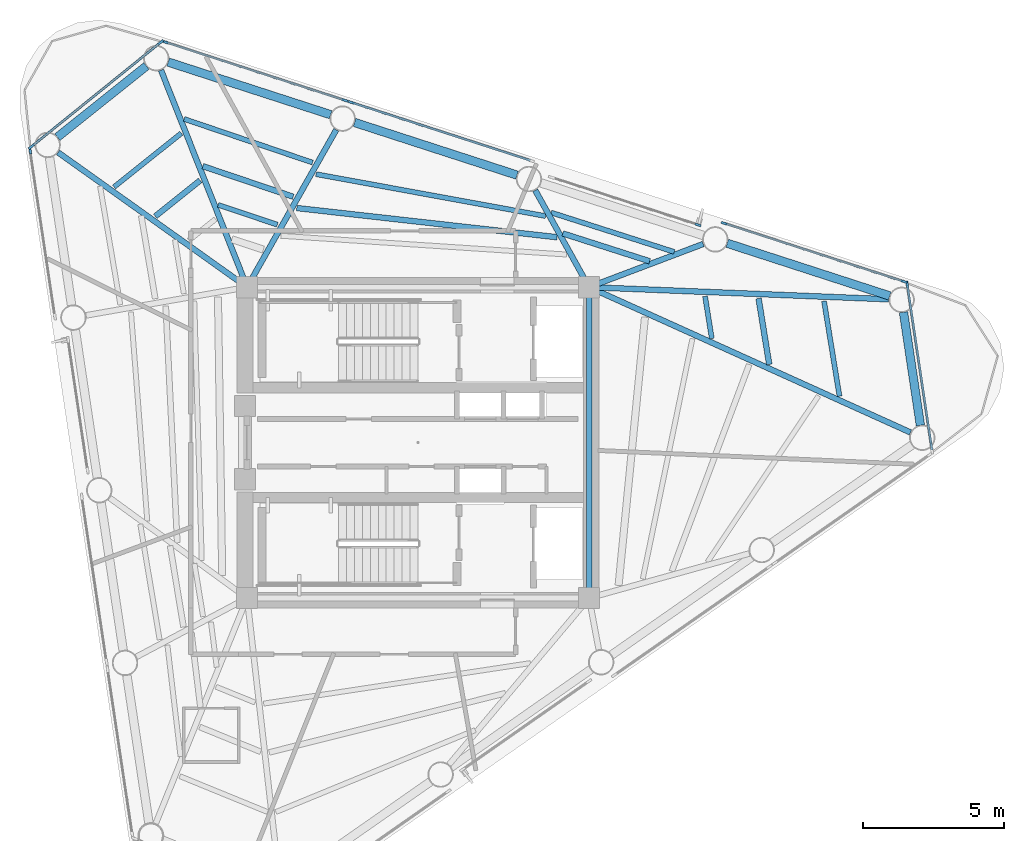
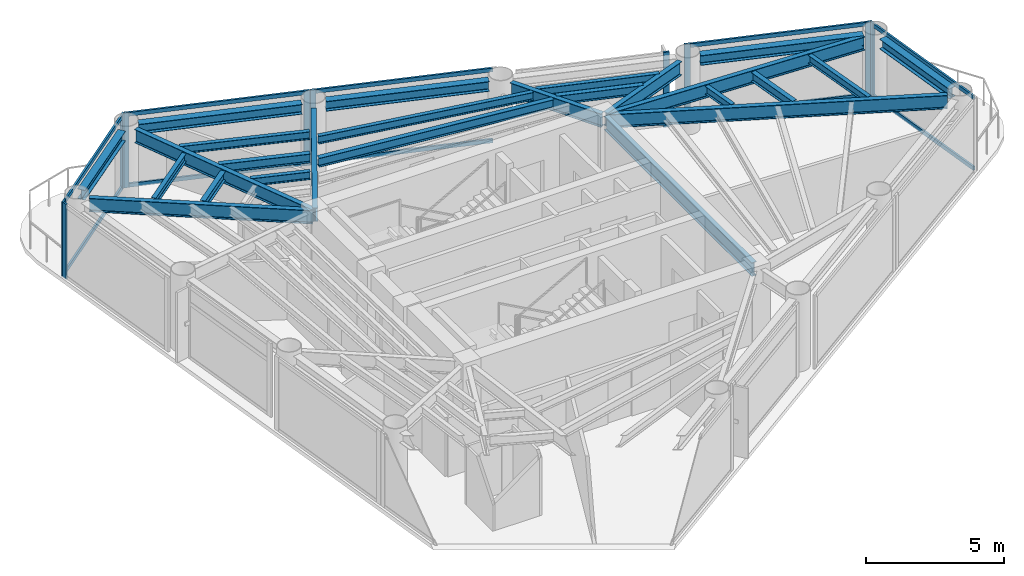
# One storey, part 3 of 9: 25 beams, 20 members, 7 elements without a shape of their own.
"""IFC4 building model written with IfcOpenShell, lengths in metres."""

from ifc_helpers import new_model, si_unit, direction, frame, origin, origin_2d, place, context, subcontext, project, spatial, rectangle, i_section, extrude, source, transform, mapped, material, layer, layer_set, material_profile, profile_set, type_object, element, aggregate, save


model = new_model("IFC4")

# Units and contexts
model_context = context("Model", 3, precision=1e-05, world=origin(), true_north=direction((0.0, 1.0)))
body_context = subcontext(model_context, "Body", "Model", "MODEL_VIEW")
ifc_project = project(units=[si_unit("LENGTHUNIT", "METRE"), si_unit("AREAUNIT", "SQUARE_METRE"), si_unit("VOLUMEUNIT", "CUBIC_METRE"), si_unit("PLANEANGLEUNIT", "RADIAN"), si_unit("MASSUNIT", "GRAM", prefix="KILO")], contexts=[model_context])

# Site, building, storey
site_placement = place(None, origin())
site = spatial("IfcSite", under=ifc_project, at=site_placement, CompositionType="ELEMENT")
building_placement = place(site_placement, origin())
building = spatial("IfcBuilding", under=site, at=building_placement, Name="Yunling Apex Tower", CompositionType="ELEMENT")
storey_placement = place(building_placement, frame((0.0, 0.0, 274.550048828125)))
storey = spatial("IfcBuildingStorey", under=building, at=storey_placement, Name="L67", CompositionType="ELEMENT", Elevation=274.550048828125)

# Beams
ifc_material_1 = material(Name="Steel Q355B", Category="steel")
ifc_material_profile_1 = material_profile(ifc_material_1, i_section(OverallWidth=0.199951171875, OverallDepth=0.60009765625, WebThickness=0.010986328125, FlangeThickness=0.01708984375, FilletRadius=0.02197265625, at=origin_2d()))
ifc_profile_set_1 = profile_set([ifc_material_profile_1], Name="Steel Q355B")
beam_type_1 = type_object("IfcBeamType", Name="BG-PRI-5", PredefinedType="USERDEFINED", material=ifc_profile_set_1)
shared_shape_1 = source(origin(), body_context, "Body", "SweptSolid", [
    extrude(i_section(OverallWidth=0.199951171875, OverallDepth=0.60009765625, WebThickness=0.010986328125, FlangeThickness=0.01708984375, FilletRadius=0.02197265625, at=origin_2d()), origin(), (0.0, 0.0, 1.0), 10.7001953125),
])
beam_1_placement = place(storey_placement, frame((6.050048828125, -5.35009765625, 2.919921875), z_axis=(0.0, 1.0, 0.0), x_axis=(-1.0, 0.0, 0.0)))
element("IfcBeam", 1, at=beam_1_placement, inside=storey, type_object=beam_type_1, Name="L67 Core Ring Tie Beam 2", ObjectType="GIRDER", PredefinedType="USERDEFINED", context=body_context, shape_type="MappedRepresentation", body=[
    mapped(shared_shape_1, transform((0.0, 0.0, 0.0), scale=1.0)),
])
ifc_material_profile_2 = material_profile(ifc_material_1, i_section(OverallWidth=0.300048828125, OverallDepth=0.43994140625, WebThickness=0.010986328125, FlangeThickness=0.01806640625, FilletRadius=0.02197265625, at=origin_2d()))
ifc_profile_set_2 = profile_set([ifc_material_profile_2], Name="Steel Q355B")
beam_type_2 = type_object("IfcBeamType", Name="BP-SPN-3", PredefinedType="SPANDREL", material=ifc_profile_set_2)
shared_shape_2 = source(origin(), body_context, "Body", "SweptSolid", [
    extrude(i_section(OverallWidth=0.300048828125, OverallDepth=0.43994140625, WebThickness=0.010986328125, FlangeThickness=0.01806640625, FilletRadius=0.02197265625, at=origin_2d()), origin(), (0.0, 0.0, 1.0), 6.043701171875),
])
for number, where, z_axis, x_axis, name in (
    (2, (16.687744140625, 5.189208984375, 3.0), (-0.951260618597, 0.308388124782, 0.0), (-0.308388124782, -0.951260618597, 0.0), "L67 Perimeter Spandrel Beam 6"),
    (3, (3.5, 9.464111328125, 3.0), (-0.951264460229, 0.30837627455, 0.0), (-0.30837627455, -0.951264460229, 0.0), "L67 Perimeter Spandrel Beam 8"),
    (4, (-3.093994140625, 11.601806640625, 3.0), (-0.951276309474, 0.308339720167, 0.0), (-0.308339720167, -0.951276309474, 0.0), "L67 Perimeter Spandrel Beam 9"),
):
    element("IfcBeam", number, at=place(storey_placement, frame(where, z_axis=z_axis, x_axis=x_axis)), inside=storey, type_object=beam_type_2, Name=name, PredefinedType="SPANDREL", context=body_context, shape_type="MappedRepresentation", body=[
        mapped(shared_shape_2, transform((0.0, 0.0, 0.0), scale=1.0)),
    ])
shared_shape_3 = source(origin(), body_context, "Body", "SweptSolid", [
    extrude(i_section(OverallWidth=0.300048828125, OverallDepth=0.43994140625, WebThickness=0.010986328125, FlangeThickness=0.01806640625, FilletRadius=0.02197265625, at=origin_2d()), origin(), (0.0, 0.0, 1.0), 4.047607421875),
])
beam_2_placement = place(storey_placement, frame((17.774169921875, 0.610107421875, 3.0), z_axis=(-0.147836074483, 0.98901187813, 0.0), x_axis=(-0.98901187813, -0.147836074483, 0.0)))
element("IfcBeam", 5, at=beam_2_placement, inside=storey, type_object=beam_type_2, Name="L67 Perimeter Spandrel Beam 5", PredefinedType="SPANDREL", context=body_context, shape_type="MappedRepresentation", body=[
    mapped(shared_shape_3, transform((0.0, 0.0, 0.0), scale=1.0)),
])
shared_shape_4 = source(origin(), body_context, "Body", "SweptSolid", [
    extrude(i_section(OverallWidth=0.300048828125, OverallDepth=0.43994140625, WebThickness=0.010986328125, FlangeThickness=0.01806640625, FilletRadius=0.02197265625, at=origin_2d()), origin(), (0.0, 0.0, 1.0), 4.03125),
])
beam_3_placement = place(storey_placement, frame((-9.612548828125, 13.3251953125, 3.0), z_axis=(-0.781412081213, -0.624015351842, 0.0), x_axis=(0.624015351842, -0.781412081213, 0.0)))
element("IfcBeam", 6, at=beam_3_placement, inside=storey, type_object=beam_type_2, Name="L67 Perimeter Spandrel Beam 10", PredefinedType="SPANDREL", context=body_context, shape_type="MappedRepresentation", body=[
    mapped(shared_shape_4, transform((0.0, 0.0, 0.0), scale=1.0)),
])
shared_shape_5 = source(origin(), body_context, "Body", "SweptSolid", [
    extrude(i_section(OverallWidth=0.199951171875, OverallDepth=0.60009765625, WebThickness=0.010986328125, FlangeThickness=0.01708984375, FilletRadius=0.02197265625, at=origin_2d()), origin(), (0.0, 0.0, 1.0), 12.400146484375),
])
beam_4_placement = place(storey_placement, frame((17.42236328125, 0.359619140625, 2.919921875), z_axis=(-0.911237617223, 0.411881056809, 0.0), x_axis=(-0.411881056809, -0.911237617223, 0.0)))
element("IfcBeam", 7, at=beam_4_placement, inside=storey, type_object=beam_type_1, Name="L67 Radial Primary Girder R05", ObjectType="GIRDER", PredefinedType="USERDEFINED", context=body_context, shape_type="MappedRepresentation", body=[
    mapped(shared_shape_5, transform((0.0, 0.0, 0.0), scale=1.0)),
])
shared_shape_6 = source(origin(), body_context, "Body", "SweptSolid", [
    extrude(i_section(OverallWidth=0.199951171875, OverallDepth=0.60009765625, WebThickness=0.010986328125, FlangeThickness=0.01708984375, FilletRadius=0.02197265625, at=origin_2d()), origin(), (0.0, 0.0, 1.0), 10.53125),
])
beam_5_placement = place(storey_placement, frame((16.652587890625, 5.07080078125, 2.919921875), z_axis=(-0.99918143594, 0.040453158992, 0.0), x_axis=(-0.040453158992, -0.99918143594, 0.0)))
element("IfcBeam", 8, at=beam_5_placement, inside=storey, type_object=beam_type_1, Name="L67 Radial Primary Girder R06", ObjectType="GIRDER", PredefinedType="USERDEFINED", context=body_context, shape_type="MappedRepresentation", body=[
    mapped(shared_shape_6, transform((0.0, 0.0, 0.0), scale=1.0)),
])
shared_shape_7 = source(origin(), body_context, "Body", "SweptSolid", [
    extrude(i_section(OverallWidth=0.199951171875, OverallDepth=0.60009765625, WebThickness=0.010986328125, FlangeThickness=0.01708984375, FilletRadius=0.02197265625, at=origin_2d()), origin(), (0.0, 0.0, 1.0), 4.2373046875),
])
beam_6_placement = place(storey_placement, frame((10.087890625, 7.02783203125, 2.919921875), z_axis=(-0.935290380754, -0.353881199938, 0.0), x_axis=(0.353881199938, -0.935290380754, 0.0)))
element("IfcBeam", 9, at=beam_6_placement, inside=storey, type_object=beam_type_1, Name="L67 Radial Primary Girder R07", ObjectType="GIRDER", PredefinedType="USERDEFINED", context=body_context, shape_type="MappedRepresentation", body=[
    mapped(shared_shape_7, transform((0.0, 0.0, 0.0), scale=1.0)),
])
shared_shape_8 = source(origin(), body_context, "Body", "SweptSolid", [
    extrude(i_section(OverallWidth=0.199951171875, OverallDepth=0.60009765625, WebThickness=0.010986328125, FlangeThickness=0.01708984375, FilletRadius=0.02197265625, at=origin_2d()), origin(), (0.0, 0.0, 1.0), 3.841064453125),
])
beam_7_placement = place(storey_placement, frame((4.144775390625, 8.927001953125, 2.919921875), z_axis=(0.485864181632, -0.874034322557, 0.0), x_axis=(0.874034322557, 0.485864181632, 0.0)))
element("IfcBeam", 10, at=beam_7_placement, inside=storey, type_object=beam_type_1, Name="L67 Radial Primary Girder R08", ObjectType="GIRDER", PredefinedType="USERDEFINED", context=body_context, shape_type="MappedRepresentation", body=[
    mapped(shared_shape_8, transform((0.0, 0.0, 0.0), scale=1.0)),
])
shared_shape_9 = source(origin(), body_context, "Body", "SweptSolid", [
    extrude(i_section(OverallWidth=0.199951171875, OverallDepth=0.60009765625, WebThickness=0.010986328125, FlangeThickness=0.01708984375, FilletRadius=0.02197265625, at=origin_2d()), origin(), (0.0, 0.0, 1.0), 6.317138671875),
])
beam_8_placement = place(storey_placement, frame((-2.8974609375, 11.06640625, 2.919921875), z_axis=(-0.492793153417, -0.870146486487, 0.0), x_axis=(0.870146486487, -0.492793153417, 0.0)))
element("IfcBeam", 11, at=beam_8_placement, inside=storey, type_object=beam_type_1, Name="L67 Radial Primary Girder R09", ObjectType="GIRDER", PredefinedType="USERDEFINED", context=body_context, shape_type="MappedRepresentation", body=[
    mapped(shared_shape_9, transform((0.0, 0.0, 0.0), scale=1.0)),
])
shared_shape_10 = source(origin(), body_context, "Body", "SweptSolid", [
    extrude(i_section(OverallWidth=0.199951171875, OverallDepth=0.60009765625, WebThickness=0.010986328125, FlangeThickness=0.01708984375, FilletRadius=0.02197265625, at=origin_2d()), origin(), (0.0, 0.0, 1.0), 8.178955078125),
])
beam_9_placement = place(storey_placement, frame((-9.0966796875, 13.176513671875, 2.919921875), z_axis=(0.368888092437, -0.929473816338, 0.0), x_axis=(0.929473816338, 0.368888092437, 0.0)))
element("IfcBeam", 12, at=beam_9_placement, inside=storey, type_object=beam_type_1, Name="L67 Radial Primary Girder R10", ObjectType="GIRDER", PredefinedType="USERDEFINED", context=body_context, shape_type="MappedRepresentation", body=[
    mapped(shared_shape_10, transform((0.0, 0.0, 0.0), scale=1.0)),
])
shared_shape_11 = source(origin(), body_context, "Body", "SweptSolid", [
    extrude(i_section(OverallWidth=0.199951171875, OverallDepth=0.60009765625, WebThickness=0.010986328125, FlangeThickness=0.01708984375, FilletRadius=0.02197265625, at=origin_2d()), origin(), (0.0, 0.0, 1.0), 8.132080078125),
])
beam_10_placement = place(storey_placement, frame((-12.73681640625, 10.2666015625, 2.919921875), z_axis=(0.814294994921, -0.580451256564, 0.0), x_axis=(0.580451256564, 0.814294994921, 0.0)))
element("IfcBeam", 13, at=beam_10_placement, inside=storey, type_object=beam_type_1, Name="L67 Radial Primary Girder R11", ObjectType="GIRDER", PredefinedType="USERDEFINED", context=body_context, shape_type="MappedRepresentation", body=[
    mapped(shared_shape_11, transform((0.0, 0.0, 0.0), scale=1.0)),
])
ifc_material_profile_3 = material_profile(ifc_material_1, i_section(OverallWidth=0.199951171875, OverallDepth=0.39990234375, WebThickness=0.008056640625, FlangeThickness=0.012939453125, FilletRadius=0.01611328125, at=origin_2d()))
ifc_profile_set_3 = profile_set([ifc_material_profile_3], Name="Steel Q355B")
beam_type_3 = type_object("IfcBeamType", Name="BS-SEC-4", PredefinedType="BEAM", material=ifc_profile_set_3)
shared_shape_12 = source(origin(), body_context, "Body", "SweptSolid", [
    extrude(i_section(OverallWidth=0.199951171875, OverallDepth=0.39990234375, WebThickness=0.008056640625, FlangeThickness=0.012939453125, FilletRadius=0.01611328125, at=origin_2d()), origin(), (0.0, 0.0, 1.0), 2.36572265625),
])
beam_11_placement = place(storey_placement, frame((12.425048828125, 2.764892578125, 3.02001953125), z_axis=(-0.159342756426, 0.987223321227, 0.0), x_axis=(-0.987223321227, -0.159342756426, 0.0)))
element("IfcBeam", 14, at=beam_11_placement, inside=storey, type_object=beam_type_3, Name="L67 Composite Floor Beam BS-5", PredefinedType="BEAM", context=body_context, shape_type="MappedRepresentation", body=[
    mapped(shared_shape_12, transform((0.0, 0.0, 0.0), scale=1.0)),
])
ifc_material_profile_4 = material_profile(ifc_material_1, i_section(OverallWidth=0.175048828125, OverallDepth=0.35009765625, WebThickness=0.007080078125, FlangeThickness=0.010986328125, FilletRadius=0.013916015625, at=origin_2d()))
ifc_profile_set_4 = profile_set([ifc_material_profile_4], Name="Steel Q355B")
beam_type_4 = type_object("IfcBeamType", Name="BJ-JST-1", PredefinedType="JOIST", material=ifc_profile_set_4)
shared_shape_13 = source(origin(), body_context, "Body", "SweptSolid", [
    extrude(i_section(OverallWidth=0.175048828125, OverallDepth=0.35009765625, WebThickness=0.007080078125, FlangeThickness=0.010986328125, FilletRadius=0.013916015625, at=origin_2d()), origin(), (0.0, 0.0, 1.0), 3.40966796875),
])
beam_12_placement = place(storey_placement, frame((14.910888671875, 1.64111328125, 3.044921875), z_axis=(-0.160600982695, 0.987019414377, 0.0), x_axis=(-0.987019414377, -0.160600982695, 0.0)))
element("IfcBeam", 15, at=beam_12_placement, inside=storey, type_object=beam_type_4, Name="L67 Composite Floor Joist BJ1-5", PredefinedType="JOIST", context=body_context, shape_type="MappedRepresentation", body=[
    mapped(shared_shape_13, transform((0.0, 0.0, 0.0), scale=1.0)),
])
shared_shape_14 = source(origin(), body_context, "Body", "SweptSolid", [
    extrude(i_section(OverallWidth=0.175048828125, OverallDepth=0.35009765625, WebThickness=0.007080078125, FlangeThickness=0.010986328125, FilletRadius=0.013916015625, at=origin_2d()), origin(), (0.0, 0.0, 1.0), 1.51171875),
])
beam_13_placement = place(storey_placement, frame((10.3916015625, 3.68408203125, 3.044921875), z_axis=(-0.157297614413, 0.987551244493, 0.0), x_axis=(-0.987551244493, -0.157297614413, 0.0)))
element("IfcBeam", 16, at=beam_13_placement, inside=storey, type_object=beam_type_4, Name="L67 Composite Floor Joist BJ3-5", PredefinedType="JOIST", context=body_context, shape_type="MappedRepresentation", body=[
    mapped(shared_shape_14, transform((0.0, 0.0, 0.0), scale=1.0)),
])
shared_shape_15 = source(origin(), body_context, "Body", "SweptSolid", [
    extrude(i_section(OverallWidth=0.199951171875, OverallDepth=0.39990234375, WebThickness=0.008056640625, FlangeThickness=0.012939453125, FilletRadius=0.01611328125, at=origin_2d()), origin(), (0.0, 0.0, 1.0), 3.22705078125),
])
beam_14_placement = place(storey_placement, frame((8.191650390625, 6.416748046875, 3.02001953125), z_axis=(-0.952339781695, 0.305039243708, 0.0), x_axis=(-0.305039243708, -0.952339781695, 0.0)))
element("IfcBeam", 17, at=beam_14_placement, inside=storey, type_object=beam_type_3, Name="L67 Composite Floor Beam BS-7", PredefinedType="BEAM", context=body_context, shape_type="MappedRepresentation", body=[
    mapped(shared_shape_15, transform((0.0, 0.0, 0.0), scale=1.0)),
])
shared_shape_16 = source(origin(), body_context, "Body", "SweptSolid", [
    extrude(i_section(OverallWidth=0.175048828125, OverallDepth=0.35009765625, WebThickness=0.007080078125, FlangeThickness=0.010986328125, FilletRadius=0.013916015625, at=origin_2d()), origin(), (0.0, 0.0, 1.0), 4.572998046875),
])
beam_15_placement = place(storey_placement, frame((9.0634765625, 6.74658203125, 3.044921875), z_axis=(-0.952472485452, 0.304624628776, 0.0), x_axis=(-0.304624628776, -0.952472485452, 0.0)))
element("IfcBeam", 18, at=beam_15_placement, inside=storey, type_object=beam_type_4, Name="L67 Composite Floor Joist BJ1-7", PredefinedType="JOIST", context=body_context, shape_type="MappedRepresentation", body=[
    mapped(shared_shape_16, transform((0.0, 0.0, 0.0), scale=1.0)),
])
shared_shape_17 = source(origin(), body_context, "Body", "SweptSolid", [
    extrude(i_section(OverallWidth=0.199951171875, OverallDepth=0.39990234375, WebThickness=0.008056640625, FlangeThickness=0.012939453125, FilletRadius=0.01611328125, at=origin_2d()), origin(), (0.0, 0.0, 1.0), 9.271728515625),
])
beam_16_placement = place(storey_placement, frame((4.9189453125, 7.266357421875, 3.02001953125), z_axis=(-0.993765641634, 0.111489234941, 0.0), x_axis=(-0.111489234941, -0.993765641634, 0.0)))
element("IfcBeam", 19, at=beam_16_placement, inside=storey, type_object=beam_type_3, Name="L67 Composite Floor Beam BS-8", PredefinedType="BEAM", context=body_context, shape_type="MappedRepresentation", body=[
    mapped(shared_shape_17, transform((0.0, 0.0, 0.0), scale=1.0)),
])
shared_shape_18 = source(origin(), body_context, "Body", "SweptSolid", [
    extrude(i_section(OverallWidth=0.175048828125, OverallDepth=0.35009765625, WebThickness=0.007080078125, FlangeThickness=0.010986328125, FilletRadius=0.013916015625, at=origin_2d()), origin(), (0.0, 0.0, 1.0), 8.256103515625),
])
beam_17_placement = place(storey_placement, frame((4.510009765625, 8.015625, 3.044921875), z_axis=(-0.983737162393, 0.179614017626, 0.0), x_axis=(-0.179614017626, -0.983737162393, 0.0)))
element("IfcBeam", 20, at=beam_17_placement, inside=storey, type_object=beam_type_4, Name="L67 Composite Floor Joist BJ1-8", PredefinedType="JOIST", context=body_context, shape_type="MappedRepresentation", body=[
    mapped(shared_shape_18, transform((0.0, 0.0, 0.0), scale=1.0)),
])
shared_shape_19 = source(origin(), body_context, "Body", "SweptSolid", [
    extrude(i_section(OverallWidth=0.199951171875, OverallDepth=0.39990234375, WebThickness=0.008056640625, FlangeThickness=0.012939453125, FilletRadius=0.01611328125, at=origin_2d()), origin(), (0.0, 0.0, 1.0), 3.37646484375),
])
beam_18_placement = place(storey_placement, frame((-4.418701171875, 8.698974609375, 3.02001953125), z_axis=(-0.947337172377, 0.320237851966, 0.0), x_axis=(-0.320237851966, -0.947337172377, 0.0)))
element("IfcBeam", 21, at=beam_18_placement, inside=storey, type_object=beam_type_3, Name="L67 Composite Floor Beam BS-9", PredefinedType="BEAM", context=body_context, shape_type="MappedRepresentation", body=[
    mapped(shared_shape_19, transform((0.0, 0.0, 0.0), scale=1.0)),
])
shared_shape_20 = source(origin(), body_context, "Body", "SweptSolid", [
    extrude(i_section(OverallWidth=0.175048828125, OverallDepth=0.35009765625, WebThickness=0.007080078125, FlangeThickness=0.010986328125, FilletRadius=0.013916015625, at=origin_2d()), origin(), (0.0, 0.0, 1.0), 4.802490234375),
])
beam_19_placement = place(storey_placement, frame((-3.73388671875, 9.908447265625, 3.044921875), z_axis=(-0.946894147211, 0.32154544621, 0.0), x_axis=(-0.32154544621, -0.946894147211, 0.0)))
element("IfcBeam", 22, at=beam_19_placement, inside=storey, type_object=beam_type_4, Name="L67 Composite Floor Joist BJ1-9", PredefinedType="JOIST", context=body_context, shape_type="MappedRepresentation", body=[
    mapped(shared_shape_20, transform((0.0, 0.0, 0.0), scale=1.0)),
])
shared_shape_21 = source(origin(), body_context, "Body", "SweptSolid", [
    extrude(i_section(OverallWidth=0.175048828125, OverallDepth=0.35009765625, WebThickness=0.007080078125, FlangeThickness=0.010986328125, FilletRadius=0.013916015625, at=origin_2d()), origin(), (0.0, 0.0, 1.0), 2.209716796875),
])
beam_20_placement = place(storey_placement, frame((-4.979248046875, 7.709228515625, 3.044921875), z_axis=(-0.948029450248, 0.318182591389, 0.0), x_axis=(-0.318182591389, -0.948029450248, 0.0)))
element("IfcBeam", 23, at=beam_20_placement, inside=storey, type_object=beam_type_4, Name="L67 Composite Floor Joist BJ3-9", PredefinedType="JOIST", context=body_context, shape_type="MappedRepresentation", body=[
    mapped(shared_shape_21, transform((0.0, 0.0, 0.0), scale=1.0)),
])
shared_shape_22 = source(origin(), body_context, "Body", "SweptSolid", [
    extrude(i_section(OverallWidth=0.199951171875, OverallDepth=0.39990234375, WebThickness=0.008056640625, FlangeThickness=0.012939453125, FilletRadius=0.01611328125, at=origin_2d()), origin(), (0.0, 0.0, 1.0), 2.032958984375),
])
beam_21_placement = place(storey_placement, frame((-7.712890625, 9.275634765625, 3.02001953125), z_axis=(-0.781161617118, -0.624328862013, 0.0), x_axis=(0.624328862013, -0.781161617118, 0.0)))
element("IfcBeam", 24, at=beam_21_placement, inside=storey, type_object=beam_type_3, Name="L67 Composite Floor Beam BS-10", PredefinedType="BEAM", context=body_context, shape_type="MappedRepresentation", body=[
    mapped(shared_shape_22, transform((0.0, 0.0, 0.0), scale=1.0)),
])
shared_shape_23 = source(origin(), body_context, "Body", "SweptSolid", [
    extrude(i_section(OverallWidth=0.175048828125, OverallDepth=0.35009765625, WebThickness=0.007080078125, FlangeThickness=0.010986328125, FilletRadius=0.013916015625, at=origin_2d()), origin(), (0.0, 0.0, 1.0), 3.048095703125),
])
beam_22_placement = place(storey_placement, frame((-8.376708984375, 10.947998046875, 3.044921875), z_axis=(-0.78115784601, -0.624333580401, 0.0), x_axis=(0.624333580401, -0.78115784601, 0.0)))
element("IfcBeam", 25, at=beam_22_placement, inside=storey, type_object=beam_type_4, Name="L67 Composite Floor Joist BJ1-10", PredefinedType="JOIST", context=body_context, shape_type="MappedRepresentation", body=[
    mapped(shared_shape_23, transform((0.0, 0.0, 0.0), scale=1.0)),
])

# Curtain wall, member
ifc_material_2 = material(Name="Bronze anodised aluminium", Category="aluminium")
ifc_layer = layer(ifc_material_2, 0.219970703125)
ifc_layer_set = layer_set([ifc_layer], Name="Bronze anodised aluminium")
curtain_wall_type = type_object("IfcCurtainWallType", Name="CW-SYS-4", PredefinedType="NOTDEFINED", material=ifc_layer_set)
curtain_wall_1_placement = place(storey_placement, origin())
curtain_wall_1 = element("IfcCurtainWall", 26, at=curtain_wall_1_placement, inside=storey, type_object=curtain_wall_type, Name="CW-L67-CRN1", PredefinedType="NOTDEFINED")
ifc_material_profile_5 = material_profile(ifc_material_2, rectangle(XDim=0.080078125, YDim=0.219970703125, at=origin_2d()))
ifc_profile_set_5 = profile_set([ifc_material_profile_5], Name="Bronze anodised aluminium")
member_type_1 = type_object("IfcMemberType", Name="CW-MUL-4", PredefinedType="MULLION", material=ifc_profile_set_5)
shared_shape_24 = source(origin(), body_context, "Body", "SweptSolid", [
    extrude(rectangle(XDim=0.080078125, YDim=0.219970703125, at=origin_2d()), origin(), (0.0, 0.0, 1.0), 3.320068359375),
])
member_1_placement = place(storey_placement, frame((17.307373046875, 5.6025390625, -0.050048828125), z_axis=(0.0, 0.0, 1.0), x_axis=(-0.989016885218, -0.147802573571, 0.0)))
member_1 = element("IfcMember", 27, at=member_1_placement, type_object=member_type_1, Name="CW-SYS-4 mullion 2", PredefinedType="MULLION", context=body_context, shape_type="MappedRepresentation", body=[
    mapped(shared_shape_24, transform((0.0, 0.0, 0.0), scale=1.0)),
])

# Curtain wall, members
curtain_wall_2_placement = place(storey_placement, origin())
curtain_wall_2 = element("IfcCurtainWall", 28, at=curtain_wall_2_placement, inside=storey, type_object=curtain_wall_type, Name="CW-L67-F2-B1", PredefinedType="NOTDEFINED")
member_2_placement = place(storey_placement, frame((17.193359375, 5.6982421875, -0.050048828125), z_axis=(0.0, 0.0, 1.0), x_axis=(-0.308353381834, -0.951271881173, 0.0)))
member_2 = element("IfcMember", 29, at=member_2_placement, type_object=member_type_1, Name="CW-SYS-4 mullion 1", PredefinedType="MULLION", context=body_context, shape_type="MappedRepresentation", body=[
    mapped(shared_shape_24, transform((0.0, 0.0, 0.0), scale=1.0)),
])
member_3_placement = place(storey_placement, frame((10.82763671875, 7.76171875, -0.050048828125), z_axis=(0.0, 0.0, 1.0), x_axis=(-0.308353381834, -0.951271881173, 0.0)))
member_3 = element("IfcMember", 30, at=member_3_placement, type_object=member_type_1, Name="CW-SYS-4 mullion 2", PredefinedType="MULLION", context=body_context, shape_type="MappedRepresentation", body=[
    mapped(shared_shape_24, transform((0.0, 0.0, 0.0), scale=1.0)),
])

# Curtain wall, member
curtain_wall_3_placement = place(storey_placement, origin())
curtain_wall_3 = element("IfcCurtainWall", 31, at=curtain_wall_3_placement, inside=storey, type_object=curtain_wall_type, Name="CW-L67-F2-B2", PredefinedType="NOTDEFINED")
member_4_placement = place(storey_placement, frame((9.90478515625, 7.703369140625, -0.050048828125), z_axis=(0.0, 0.0, 1.0), x_axis=(-0.30836941685, -0.951266683297, 0.0)))
member_4 = element("IfcMember", 32, at=member_4_placement, type_object=member_type_1, Name="CW-SYS-4 mullion 1", PredefinedType="MULLION", context=body_context, shape_type="MappedRepresentation", body=[
    mapped(shared_shape_24, transform((0.0, 0.0, 0.0), scale=1.0)),
])
aggregate(curtain_wall_3, [member_4])

curtain_wall_4_placement = place(storey_placement, origin())
curtain_wall_4 = element("IfcCurtainWall", 33, at=curtain_wall_4_placement, inside=storey, type_object=curtain_wall_type, Name="CW-L67-F2-B3", PredefinedType="NOTDEFINED")
member_5_placement = place(storey_placement, frame((-2.360107421875, 12.03662109375, -0.050048828125), z_axis=(0.0, 0.0, 1.0), x_axis=(-0.308371076658, -0.95126614524, 0.0)))
member_5 = element("IfcMember", 34, at=member_5_placement, type_object=member_type_1, Name="CW-SYS-4 mullion 2", PredefinedType="MULLION", context=body_context, shape_type="MappedRepresentation", body=[
    mapped(shared_shape_24, transform((0.0, 0.0, 0.0), scale=1.0)),
])

# Curtain wall, members
curtain_wall_5_placement = place(storey_placement, origin())
curtain_wall_5 = element("IfcCurtainWall", 35, at=curtain_wall_5_placement, inside=storey, type_object=curtain_wall_type, Name="CW-L67-F2-B4", PredefinedType="NOTDEFINED")
member_6_placement = place(storey_placement, frame((-2.58837890625, 12.110595703125, -0.050048828125), z_axis=(0.0, 0.0, 1.0), x_axis=(-0.308353381834, -0.951271881173, 0.0)))
member_6 = element("IfcMember", 36, at=member_6_placement, type_object=member_type_1, Name="CW-SYS-4 mullion 1", PredefinedType="MULLION", context=body_context, shape_type="MappedRepresentation", body=[
    mapped(shared_shape_24, transform((0.0, 0.0, 0.0), scale=1.0)),
])
member_7_placement = place(storey_placement, frame((-8.9541015625, 14.174072265625, -0.050048828125), z_axis=(0.0, 0.0, 1.0), x_axis=(-0.308353381834, -0.951271881173, 0.0)))
member_7 = element("IfcMember", 37, at=member_7_placement, type_object=member_type_1, Name="CW-SYS-4 mullion 2", PredefinedType="MULLION", context=body_context, shape_type="MappedRepresentation", body=[
    mapped(shared_shape_24, transform((0.0, 0.0, 0.0), scale=1.0)),
])

curtain_wall_6_placement = place(storey_placement, origin())
curtain_wall_6 = element("IfcCurtainWall", 38, at=curtain_wall_6_placement, inside=storey, type_object=curtain_wall_type, Name="CW-L67-CRN2", PredefinedType="NOTDEFINED")
member_8_placement = place(storey_placement, frame((-9.10546875, 14.1669921875, -0.050048828125), z_axis=(0.0, 0.0, 1.0), x_axis=(0.627988675266, -0.778222477019, 0.0)))
member_8 = element("IfcMember", 39, at=member_8_placement, type_object=member_type_1, Name="CW-SYS-4 mullion 1", PredefinedType="MULLION", context=body_context, shape_type="MappedRepresentation", body=[
    mapped(shared_shape_24, transform((0.0, 0.0, 0.0), scale=1.0)),
])
member_9_placement = place(storey_placement, frame((-13.69189453125, 10.4658203125, -0.050048828125), z_axis=(0.0, 0.0, 1.0), x_axis=(0.627988675266, -0.778222477019, 0.0)))
member_9 = element("IfcMember", 40, at=member_9_placement, type_object=member_type_1, Name="CW-SYS-4 mullion 2", PredefinedType="MULLION", context=body_context, shape_type="MappedRepresentation", body=[
    mapped(shared_shape_24, transform((0.0, 0.0, 0.0), scale=1.0)),
])

# Curtain wall, member
curtain_wall_7_placement = place(storey_placement, origin())
curtain_wall_7 = element("IfcCurtainWall", 41, at=curtain_wall_7_placement, inside=storey, type_object=curtain_wall_type, Name="CW-L67-F3-B1", PredefinedType="NOTDEFINED")
member_10_placement = place(storey_placement, frame((-13.72509765625, 10.3193359375, -0.050048828125), z_axis=(0.0, 0.0, 1.0), x_axis=(0.989016174309, 0.147807330522, 0.0)))
member_10 = element("IfcMember", 42, at=member_10_placement, type_object=member_type_1, Name="CW-SYS-4 mullion 1", PredefinedType="MULLION", context=body_context, shape_type="MappedRepresentation", body=[
    mapped(shared_shape_24, transform((0.0, 0.0, 0.0), scale=1.0)),
])
aggregate(curtain_wall_7, [member_10])

# Member
ifc_material_profile_6 = material_profile(ifc_material_2, rectangle(XDim=0.080078125, YDim=0.169921875, at=origin_2d()))
ifc_profile_set_6 = profile_set([ifc_material_profile_6], Name="Bronze anodised aluminium")
member_type_2 = type_object("IfcMemberType", Name="CW-TRN-4", PredefinedType="USERDEFINED", material=ifc_profile_set_6)
shared_shape_25 = source(origin(), body_context, "Body", "SweptSolid", [
    extrude(rectangle(XDim=0.080078125, YDim=0.169921875, at=origin_2d()), origin(), (0.0, 0.0, 1.0), 6.61962890625),
])
member_11_placement = place(storey_placement, frame((-2.622802734375, 12.121826171875, 0.0400390625), z_axis=(-0.951269317575, 0.308361290437, 0.0), x_axis=(-0.308361290437, -0.951269317575, 0.0)))
member_11 = element("IfcMember", 43, at=member_11_placement, type_object=member_type_2, Name="CW-SYS-4 transom 1.1", ObjectType="TRANSOM", PredefinedType="USERDEFINED", context=body_context, shape_type="MappedRepresentation", body=[
    mapped(shared_shape_25, transform((0.0, 0.0, 0.0), scale=1.0)),
])

member_12_placement = place(storey_placement, frame((-2.622802734375, 12.121826171875, 3.179931640625), z_axis=(-0.951269317575, 0.308361290437, 0.0), x_axis=(-0.308361290437, -0.951269317575, 0.0)))
member_12 = element("IfcMember", 44, at=member_12_placement, type_object=member_type_2, Name="CW-SYS-4 transom 1.2", ObjectType="TRANSOM", PredefinedType="USERDEFINED", context=body_context, shape_type="MappedRepresentation", body=[
    mapped(shared_shape_25, transform((0.0, 0.0, 0.0), scale=1.0)),
])

aggregate(curtain_wall_5, [member_6, member_7, member_11, member_12])

shared_shape_26 = source(origin(), body_context, "Body", "SweptSolid", [
    extrude(rectangle(XDim=0.080078125, YDim=0.169921875, at=origin_2d()), origin(), (0.0, 0.0, 1.0), 6.619873046875),
])
member_13_placement = place(storey_placement, frame((17.1591796875, 5.709228515625, 0.0400390625), z_axis=(-0.951272824274, 0.308350472348, 0.0), x_axis=(-0.308350472348, -0.951272824274, 0.0)))
member_13 = element("IfcMember", 45, at=member_13_placement, type_object=member_type_2, Name="CW-SYS-4 transom 1.1", ObjectType="TRANSOM", PredefinedType="USERDEFINED", context=body_context, shape_type="MappedRepresentation", body=[
    mapped(shared_shape_26, transform((0.0, 0.0, 0.0), scale=1.0)),
])

member_14_placement = place(storey_placement, frame((17.1591796875, 5.709228515625, 3.179931640625), z_axis=(-0.951272824274, 0.308350472348, 0.0), x_axis=(-0.308350472348, -0.951272824274, 0.0)))
member_14 = element("IfcMember", 46, at=member_14_placement, type_object=member_type_2, Name="CW-SYS-4 transom 1.2", ObjectType="TRANSOM", PredefinedType="USERDEFINED", context=body_context, shape_type="MappedRepresentation", body=[
    mapped(shared_shape_26, transform((0.0, 0.0, 0.0), scale=1.0)),
])

aggregate(curtain_wall_2, [member_2, member_3, member_13, member_14])

member_15_placement = place(storey_placement, frame((3.97119140625, 9.984130859375, 0.0400390625), z_axis=(-0.951258498664, 0.308394663895, 0.0), x_axis=(-0.308394663895, -0.951258498664, 0.0)))
member_15 = element("IfcMember", 47, at=member_15_placement, type_object=member_type_2, Name="CW-SYS-4 transom 1.1", ObjectType="TRANSOM", PredefinedType="USERDEFINED", context=body_context, shape_type="MappedRepresentation", body=[
    mapped(shared_shape_26, transform((0.0, 0.0, 0.0), scale=1.0)),
])

member_16_placement = place(storey_placement, frame((3.97119140625, 9.984130859375, 3.179931640625), z_axis=(-0.951258498664, 0.308394663895, 0.0), x_axis=(-0.308394663895, -0.951258498664, 0.0)))
member_16 = element("IfcMember", 48, at=member_16_placement, type_object=member_type_2, Name="CW-SYS-4 transom 1.2", ObjectType="TRANSOM", PredefinedType="USERDEFINED", context=body_context, shape_type="MappedRepresentation", body=[
    mapped(shared_shape_26, transform((0.0, 0.0, 0.0), scale=1.0)),
])

aggregate(curtain_wall_4, [member_5, member_15, member_16])

shared_shape_27 = source(origin(), body_context, "Body", "SweptSolid", [
    extrude(rectangle(XDim=0.080078125, YDim=0.169921875, at=origin_2d()), origin(), (0.0, 0.0, 1.0), 5.89404296875),
])
member_17_placement = place(storey_placement, frame((18.183837890625, -0.26220703125, 0.0400390625), z_axis=(-0.147791520702, 0.989018536939, 0.0), x_axis=(-0.989018536939, -0.147791520702, 0.0)))
member_17 = element("IfcMember", 49, at=member_17_placement, type_object=member_type_2, Name="CW-SYS-4 transom 1.1", ObjectType="TRANSOM", PredefinedType="USERDEFINED", context=body_context, shape_type="MappedRepresentation", body=[
    mapped(shared_shape_27, transform((0.0, 0.0, 0.0), scale=1.0)),
])

member_18_placement = place(storey_placement, frame((18.183837890625, -0.26220703125, 3.179931640625), z_axis=(-0.147791520702, 0.989018536939, 0.0), x_axis=(-0.989018536939, -0.147791520702, 0.0)))
member_18 = element("IfcMember", 50, at=member_18_placement, type_object=member_type_2, Name="CW-SYS-4 transom 1.2", ObjectType="TRANSOM", PredefinedType="USERDEFINED", context=body_context, shape_type="MappedRepresentation", body=[
    mapped(shared_shape_27, transform((0.0, 0.0, 0.0), scale=1.0)),
])

aggregate(curtain_wall_1, [member_1, member_17, member_18])

shared_shape_28 = source(origin(), body_context, "Body", "SweptSolid", [
    extrude(rectangle(XDim=0.080078125, YDim=0.169921875, at=origin_2d()), origin(), (0.0, 0.0, 1.0), 5.8212890625),
])
member_19_placement = place(storey_placement, frame((-9.133544921875, 14.144287109375, 0.0400390625), z_axis=(-0.778218644613, -0.627993424469, 0.0), x_axis=(0.627993424469, -0.778218644613, 0.0)))
member_19 = element("IfcMember", 51, at=member_19_placement, type_object=member_type_2, Name="CW-SYS-4 transom 1.1", ObjectType="TRANSOM", PredefinedType="USERDEFINED", context=body_context, shape_type="MappedRepresentation", body=[
    mapped(shared_shape_28, transform((0.0, 0.0, 0.0), scale=1.0)),
])

member_20_placement = place(storey_placement, frame((-9.133544921875, 14.144287109375, 3.179931640625), z_axis=(-0.778218644613, -0.627993424469, 0.0), x_axis=(0.627993424469, -0.778218644613, 0.0)))
member_20 = element("IfcMember", 52, at=member_20_placement, type_object=member_type_2, Name="CW-SYS-4 transom 1.2", ObjectType="TRANSOM", PredefinedType="USERDEFINED", context=body_context, shape_type="MappedRepresentation", body=[
    mapped(shared_shape_28, transform((0.0, 0.0, 0.0), scale=1.0)),
])

aggregate(curtain_wall_6, [member_8, member_9, member_19, member_20])

save(model, "model.ifc")
